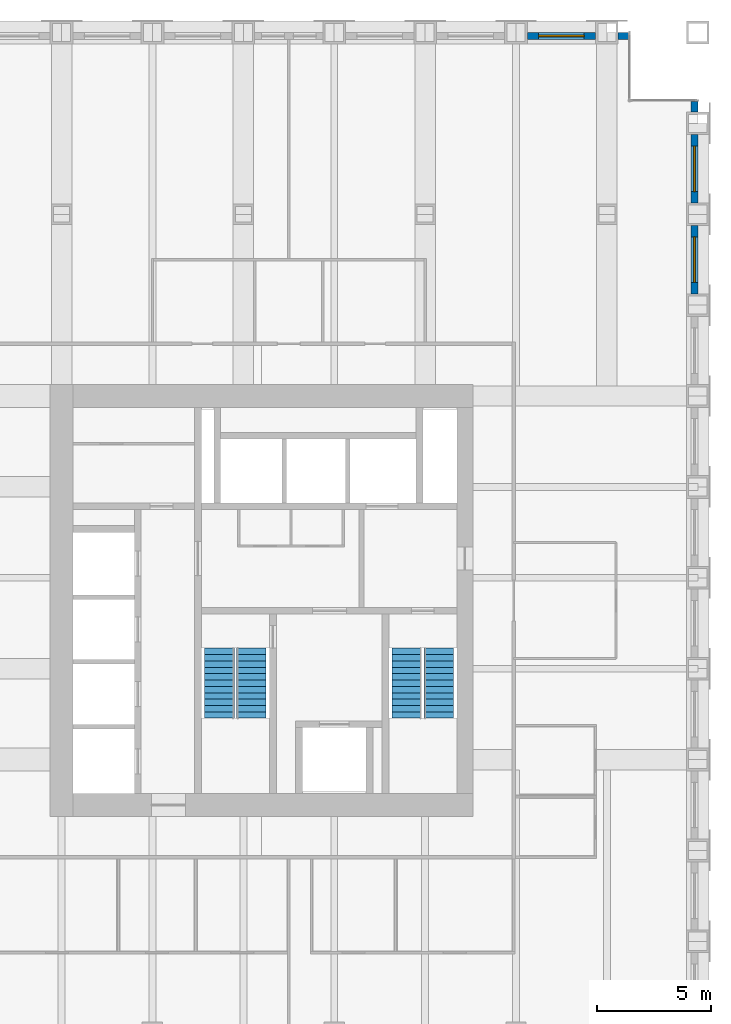
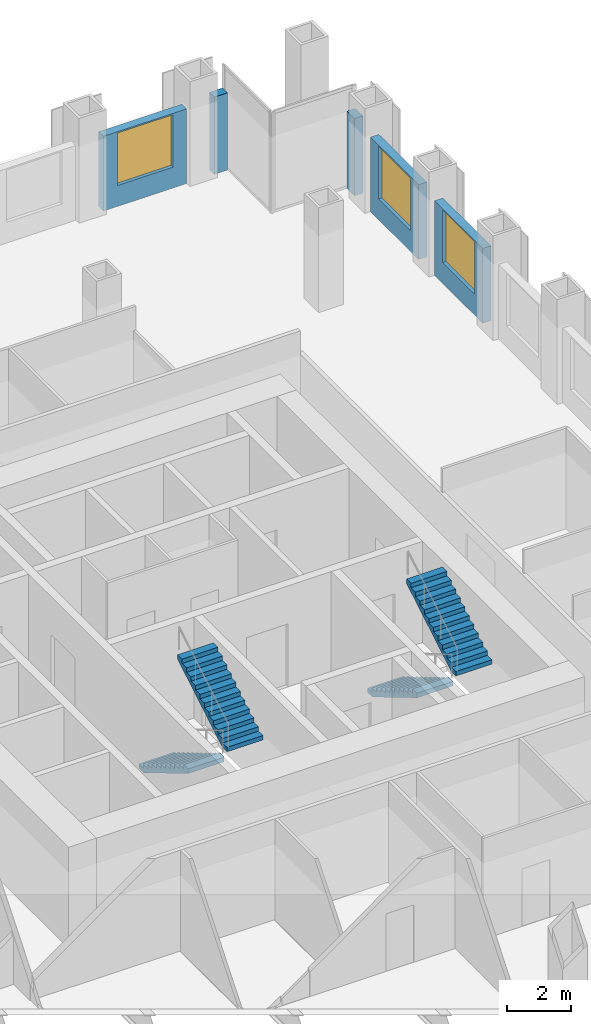
# One storey, part 11 of 12: 5 walls, 4 stair flights, 3 windows, 3 openings, 2 elements without a shape of their own.
"""IFC4 building model written with IfcOpenShell, lengths in metres."""

from ifc_helpers import new_model, si_unit, direction, frame, frame_2d, origin, place, context, subcontext, project, spatial, polyline, rectangle, outline, extrude, material, layer, layer_set, type_object, element, fill, aggregate, save


model = new_model("IFC4")

# Units and contexts
model_context = context("Model", 3, precision=1e-05, world=origin(), true_north=direction((0.0, 1.0)))
body_context = subcontext(model_context, "Body", "Model", "MODEL_VIEW")
ifc_project = project(units=[si_unit("LENGTHUNIT", "METRE"), si_unit("AREAUNIT", "SQUARE_METRE"), si_unit("VOLUMEUNIT", "CUBIC_METRE"), si_unit("PLANEANGLEUNIT", "RADIAN"), si_unit("MASSUNIT", "GRAM", prefix="KILO")], contexts=[model_context])

# Site, building, storey
site_placement = place(None, origin())
site = spatial("IfcSite", under=ifc_project, at=site_placement, CompositionType="ELEMENT")
building_placement = place(site_placement, origin())
building = spatial("IfcBuilding", under=site, at=building_placement, Name="Rimbunsela Tower", CompositionType="ELEMENT")
storey_placement = place(building_placement, frame((0.0, 0.0, 155.800048828125)))
storey = spatial("IfcBuildingStorey", under=building, at=storey_placement, Name="L37", CompositionType="ELEMENT", Elevation=155.800048828125)

# Wall, opening, window
ifc_material_1 = material(Name="Precast concrete fc' 35 MPa", Category="concrete")
ifc_layer = layer(ifc_material_1, 0.300048828125)
ifc_layer_set = layer_set([ifc_layer], Name="Precast concrete fc' 35 MPa")
wall_type = type_object("IfcWallType", Name="Precast facade panel 300", PredefinedType="ELEMENTEDWALL", material=ifc_layer_set)
wall_1_placement = place(storey_placement, frame((45.85009765625, 40.5, 0.0), z_axis=(0.0, 0.0, 1.0), x_axis=(0.0, 1.0, 0.0)))
wall_1 = element("IfcWall", 1, at=wall_1_placement, inside=storey, type_object=wall_type, Name="Facade panel E L37", PredefinedType="ELEMENTEDWALL", context=body_context, shape_type="SweptSolid", body=[
    extrude(rectangle(XDim=3.0, YDim=0.300048828125, at=frame_2d((1.5, 0.0))), origin(), (0.0, 0.0, 1.0), 2.849853515625),
])
opening_1_placement = place(wall_1_placement, frame((0.5, 0.0, 0.800048828125)))
opening_1 = element("IfcOpeningElement", 2, at=opening_1_placement, cuts=wall_1, Name="Opening W1", PredefinedType="OPENING", context=body_context, shape_type="SweptSolid", body=[
    extrude(rectangle(XDim=2.0, YDim=2.0, at=frame_2d((1.0, 1.0))), frame((0.0, 0.159912109375, 0.0), z_axis=(0.0, -1.0, 0.0), x_axis=(1.0, 0.0, 0.0)), (0.0, 0.0, 1.0), 0.320068359375),
])
ifc_material_2 = material(Name="Clear glass in aluminium frame", Category="aluminium")
window_type = type_object("IfcWindowType", Name="Window W1 2000x2000", PartitioningType="DOUBLE_PANEL_VERTICAL", PredefinedType="WINDOW", material=ifc_material_2)
window_1_placement = place(opening_1_placement, origin())
window_1 = element("IfcWindow", 3, at=window_1_placement, inside=storey, type_object=window_type, Name="Window L37", OverallHeight=2.0, OverallWidth=2.0, PartitioningType="SINGLE_PANEL", PredefinedType="WINDOW", context=body_context, shape_type="SweptSolid", body=[
    extrude(rectangle(XDim=2.0, YDim=2.0, at=frame_2d((1.0, 1.0))), frame((0.0, 0.030029296875, 0.0), z_axis=(0.0, -1.0, 0.0), x_axis=(1.0, 0.0, 0.0)), (0.0, 0.0, 1.0), 0.06005859375),
])
fill(opening_1, window_1)

wall_2_placement = place(storey_placement, frame((45.85009765625, 44.5, 0.0), z_axis=(0.0, 0.0, 1.0), x_axis=(0.0, 1.0, 0.0)))
wall_2 = element("IfcWall", 4, at=wall_2_placement, inside=storey, type_object=wall_type, Name="Facade panel E L37", PredefinedType="ELEMENTEDWALL", context=body_context, shape_type="SweptSolid", body=[
    extrude(rectangle(XDim=3.0, YDim=0.300048828125, at=frame_2d((1.5, 0.0))), origin(), (0.0, 0.0, 1.0), 2.849853515625),
])
opening_2_placement = place(wall_2_placement, frame((0.5, 0.0, 0.800048828125)))
opening_2 = element("IfcOpeningElement", 5, at=opening_2_placement, cuts=wall_2, Name="Opening W1", PredefinedType="OPENING", context=body_context, shape_type="SweptSolid", body=[
    extrude(rectangle(XDim=2.0, YDim=2.0, at=frame_2d((1.0, 1.0))), frame((0.0, 0.159912109375, 0.0), z_axis=(0.0, -1.0, 0.0), x_axis=(1.0, 0.0, 0.0)), (0.0, 0.0, 1.0), 0.320068359375),
])
window_2_placement = place(opening_2_placement, origin())
window_2 = element("IfcWindow", 6, at=window_2_placement, inside=storey, type_object=window_type, Name="Window L37", OverallHeight=2.0, OverallWidth=2.0, PartitioningType="SINGLE_PANEL", PredefinedType="WINDOW", context=body_context, shape_type="SweptSolid", body=[
    extrude(rectangle(XDim=2.0, YDim=2.0, at=frame_2d((1.0, 1.0))), frame((0.0, 0.030029296875, 0.0), z_axis=(0.0, -1.0, 0.0), x_axis=(1.0, 0.0, 0.0)), (0.0, 0.0, 1.0), 0.06005859375),
])
fill(opening_2, window_2)

# Wall
wall_3_placement = place(storey_placement, frame((45.85009765625, 48.5, 0.0), z_axis=(0.0, 0.0, 1.0), x_axis=(0.0, 1.0, 0.0)))
element("IfcWall", 7, at=wall_3_placement, inside=storey, type_object=wall_type, Name="Facade panel E L37", PredefinedType="ELEMENTEDWALL", context=body_context, shape_type="SweptSolid", body=[
    extrude(rectangle(XDim=0.469970703125, YDim=0.300048828125, at=frame_2d((0.23486328125, 0.0))), origin(), (0.0, 0.0, 1.0), 2.949951171875),
])

# Wall, opening, window
wall_4_placement = place(storey_placement, frame((41.5, 51.85009765625, 0.0), z_axis=(0.0, 0.0, 1.0), x_axis=(-1.0, 0.0, 0.0)))
wall_4 = element("IfcWall", 8, at=wall_4_placement, inside=storey, type_object=wall_type, Name="Facade panel N L37", PredefinedType="ELEMENTEDWALL", context=body_context, shape_type="SweptSolid", body=[
    extrude(rectangle(XDim=3.0, YDim=0.300048828125, at=frame_2d((1.5, 0.0))), origin(), (0.0, 0.0, 1.0), 2.849853515625),
])
opening_3_placement = place(wall_4_placement, frame((0.5, 0.0, 0.800048828125)))
opening_3 = element("IfcOpeningElement", 9, at=opening_3_placement, cuts=wall_4, Name="Opening W1", PredefinedType="OPENING", context=body_context, shape_type="SweptSolid", body=[
    extrude(rectangle(XDim=2.0, YDim=2.0, at=frame_2d((1.0, 1.0))), frame((0.0, 0.159912109375, 0.0), z_axis=(0.0, -1.0, 0.0), x_axis=(1.0, 0.0, 0.0)), (0.0, 0.0, 1.0), 0.320068359375),
])
window_3_placement = place(opening_3_placement, origin())
window_3 = element("IfcWindow", 10, at=window_3_placement, inside=storey, type_object=window_type, Name="Window L37", OverallHeight=2.0, OverallWidth=2.0, PartitioningType="SINGLE_PANEL", PredefinedType="WINDOW", context=body_context, shape_type="SweptSolid", body=[
    extrude(rectangle(XDim=2.0, YDim=2.0, at=frame_2d((1.0, 1.0))), frame((0.0, 0.030029296875, 0.0), z_axis=(0.0, -1.0, 0.0), x_axis=(1.0, 0.0, 0.0)), (0.0, 0.0, 1.0), 0.06005859375),
])
fill(opening_3, window_3)

# Wall
wall_5_placement = place(storey_placement, frame((42.969970703125, 51.85009765625, 0.0), z_axis=(0.0, 0.0, 1.0), x_axis=(-1.0, 0.0, 0.0)))
element("IfcWall", 11, at=wall_5_placement, inside=storey, type_object=wall_type, Name="Facade panel N L37", PredefinedType="ELEMENTEDWALL", context=body_context, shape_type="SweptSolid", body=[
    extrude(rectangle(XDim=0.469970703125, YDim=0.300048828125, at=frame_2d((0.23486328125, 0.0))), origin(), (0.0, 0.0, 1.0), 2.949951171875),
])

# Stair, stair flights
ifc_material_3 = material(Name="Concrete fc' 35 MPa", Category="concrete")
stair_type = type_object("IfcStairType", Name="Exit stair 24 risers", PredefinedType="HALF_TURN_STAIR", material=ifc_material_3)
stair_1_placement = place(storey_placement, origin())
stair_1 = element("IfcStair", 12, at=stair_1_placement, inside=storey, type_object=stair_type, Name="Exit stair A L37", PredefinedType="HALF_TURN_STAIR")
ifc_material_4 = material(Name="Concrete fc' 35 MPa", Category="concrete")
stair_flight_type = type_object("IfcStairFlightType", Name="Stair flight 12 risers 167", PredefinedType="STRAIGHT", material=ifc_material_4)
stair_flight_1_placement = place(storey_placement, frame((24.949951171875, 24.89990234375, 0.0), z_axis=(0.0, 0.0, 1.0), x_axis=(0.0, -1.0, 0.0)))
stair_flight_1 = element("IfcStairFlight", 13, at=stair_flight_1_placement, type_object=stair_flight_type, Name="ST-A flight 1", NumberOfRisers=12, NumberOfTreads=11, PredefinedType="STRAIGHT", RiserHeight=0.166666667, TreadLength=0.28, context=body_context, shape_type="SweptSolid", body=[
    extrude(outline(polyline([(0.0, 0.0), (0.0, 0.166748046875), (0.280029296875, 0.166748046875), (0.280029296875, 0.333251953125), (0.56005859375, 0.333251953125), (0.56005859375, 0.5), (0.840087890625, 0.5), (0.840087890625, 0.666748046875), (1.1201171875, 0.666748046875), (1.1201171875, 0.833251953125), (1.39990234375, 0.833251953125), (1.39990234375, 1.0), (1.679931640625, 1.0), (1.679931640625, 1.166748046875), (1.9599609375, 1.166748046875), (1.9599609375, 1.333251953125), (2.239990234375, 1.333251953125), (2.239990234375, 1.5), (2.52001953125, 1.5), (2.52001953125, 1.666748046875), (2.800048828125, 1.666748046875), (2.800048828125, 1.833251953125), (3.080078125, 1.833251953125), (3.080078125, 2.0), (3.080078125, 1.658935546875), (0.29296875, 0.0), (0.0, 0.0)])), frame((0.0, 0.64990234375, 0.0), z_axis=(0.0, -1.0, 0.0), x_axis=(1.0, 0.0, 0.0)), (0.0, 0.0, 1.0), 1.300048828125),
])
stair_flight_2_placement = place(storey_placement, frame((26.35009765625, 21.820068359375, 2.0), z_axis=(0.0, 0.0, 1.0), x_axis=(0.0, 1.0, 0.0)))
stair_flight_2 = element("IfcStairFlight", 14, at=stair_flight_2_placement, type_object=stair_flight_type, Name="ST-A flight 2", NumberOfRisers=12, NumberOfTreads=11, PredefinedType="STRAIGHT", RiserHeight=0.166666667, TreadLength=0.28, context=body_context, shape_type="SweptSolid", body=[
    extrude(outline(polyline([(0.0, 0.0), (0.0, 0.166748046875), (0.280029296875, 0.166748046875), (0.280029296875, 0.333251953125), (0.56005859375, 0.333251953125), (0.56005859375, 0.5), (0.840087890625, 0.5), (0.840087890625, 0.666748046875), (1.1201171875, 0.666748046875), (1.1201171875, 0.833251953125), (1.39990234375, 0.833251953125), (1.39990234375, 1.0), (1.679931640625, 1.0), (1.679931640625, 1.166748046875), (1.9599609375, 1.166748046875), (1.9599609375, 1.333251953125), (2.239990234375, 1.333251953125), (2.239990234375, 1.5), (2.52001953125, 1.5), (2.52001953125, 1.666748046875), (2.800048828125, 1.666748046875), (2.800048828125, 1.833251953125), (3.080078125, 1.833251953125), (3.080078125, 2.0), (3.080078125, 1.658935546875), (0.29296875, 0.0), (0.0, 0.0)])), frame((0.0, 0.64990234375, 0.0), z_axis=(0.0, -1.0, 0.0), x_axis=(1.0, 0.0, 0.0)), (0.0, 0.0, 1.0), 1.300048828125),
])
aggregate(stair_1, [stair_flight_1, stair_flight_2])

stair_2_placement = place(storey_placement, origin())
stair_2 = element("IfcStair", 15, at=stair_2_placement, inside=storey, type_object=stair_type, Name="Exit stair B L37", PredefinedType="HALF_TURN_STAIR")
stair_flight_3_placement = place(storey_placement, frame((33.199951171875, 24.89990234375, 0.0), z_axis=(0.0, 0.0, 1.0), x_axis=(0.0, -1.0, 0.0)))
stair_flight_3 = element("IfcStairFlight", 16, at=stair_flight_3_placement, type_object=stair_flight_type, Name="ST-B flight 1", NumberOfRisers=12, NumberOfTreads=11, PredefinedType="STRAIGHT", RiserHeight=0.166666667, TreadLength=0.28, context=body_context, shape_type="SweptSolid", body=[
    extrude(outline(polyline([(0.0, 0.0), (0.0, 0.166748046875), (0.280029296875, 0.166748046875), (0.280029296875, 0.333251953125), (0.56005859375, 0.333251953125), (0.56005859375, 0.5), (0.840087890625, 0.5), (0.840087890625, 0.666748046875), (1.1201171875, 0.666748046875), (1.1201171875, 0.833251953125), (1.39990234375, 0.833251953125), (1.39990234375, 1.0), (1.679931640625, 1.0), (1.679931640625, 1.166748046875), (1.9599609375, 1.166748046875), (1.9599609375, 1.333251953125), (2.239990234375, 1.333251953125), (2.239990234375, 1.5), (2.52001953125, 1.5), (2.52001953125, 1.666748046875), (2.800048828125, 1.666748046875), (2.800048828125, 1.833251953125), (3.080078125, 1.833251953125), (3.080078125, 2.0), (3.080078125, 1.658935546875), (0.29296875, 0.0), (0.0, 0.0)])), frame((0.0, 0.64990234375, 0.0), z_axis=(0.0, -1.0, 0.0), x_axis=(1.0, 0.0, 0.0)), (0.0, 0.0, 1.0), 1.300048828125),
])
stair_flight_4_placement = place(storey_placement, frame((34.60009765625, 21.820068359375, 2.0), z_axis=(0.0, 0.0, 1.0), x_axis=(0.0, 1.0, 0.0)))
stair_flight_4 = element("IfcStairFlight", 17, at=stair_flight_4_placement, type_object=stair_flight_type, Name="ST-B flight 2", NumberOfRisers=12, NumberOfTreads=11, PredefinedType="STRAIGHT", RiserHeight=0.166666667, TreadLength=0.28, context=body_context, shape_type="SweptSolid", body=[
    extrude(outline(polyline([(0.0, 0.0), (0.0, 0.166748046875), (0.280029296875, 0.166748046875), (0.280029296875, 0.333251953125), (0.56005859375, 0.333251953125), (0.56005859375, 0.5), (0.840087890625, 0.5), (0.840087890625, 0.666748046875), (1.1201171875, 0.666748046875), (1.1201171875, 0.833251953125), (1.39990234375, 0.833251953125), (1.39990234375, 1.0), (1.679931640625, 1.0), (1.679931640625, 1.166748046875), (1.9599609375, 1.166748046875), (1.9599609375, 1.333251953125), (2.239990234375, 1.333251953125), (2.239990234375, 1.5), (2.52001953125, 1.5), (2.52001953125, 1.666748046875), (2.800048828125, 1.666748046875), (2.800048828125, 1.833251953125), (3.080078125, 1.833251953125), (3.080078125, 2.0), (3.080078125, 1.658935546875), (0.29296875, 0.0), (0.0, 0.0)])), frame((0.0, 0.64990234375, 0.0), z_axis=(0.0, -1.0, 0.0), x_axis=(1.0, 0.0, 0.0)), (0.0, 0.0, 1.0), 1.300048828125),
])
aggregate(stair_2, [stair_flight_3, stair_flight_4])

save(model, "model.ifc")
